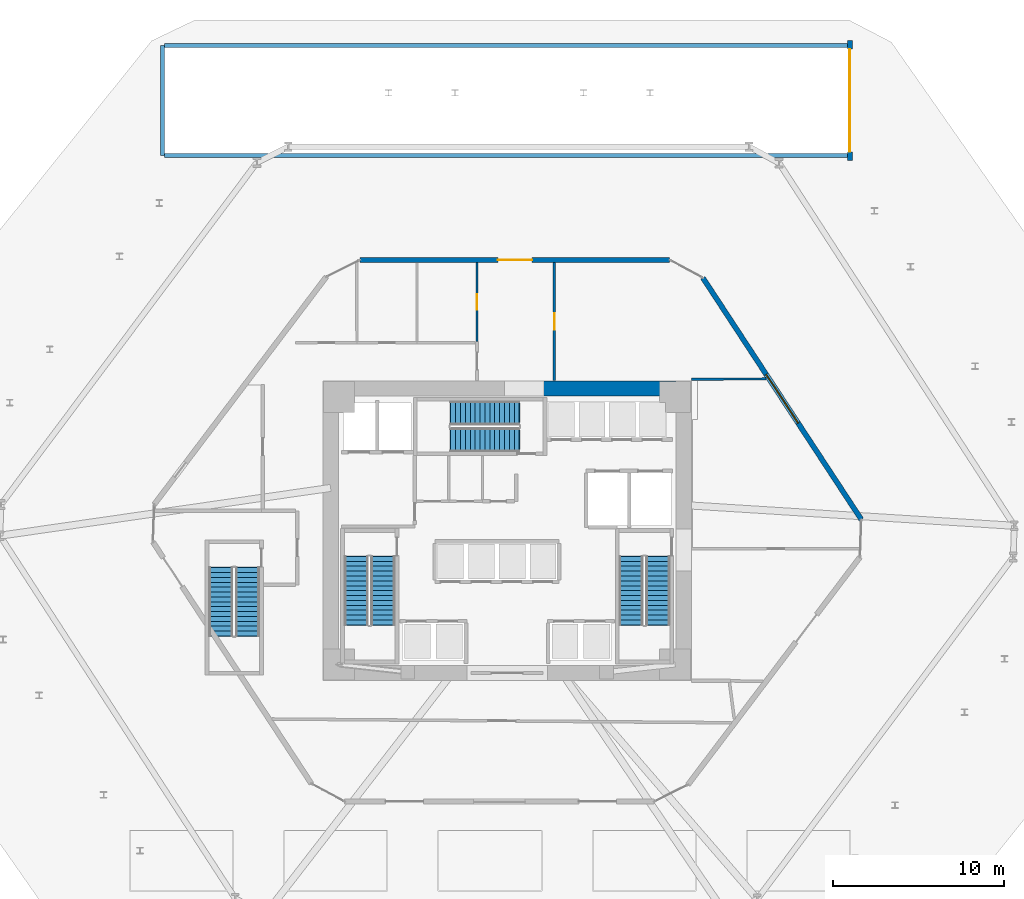
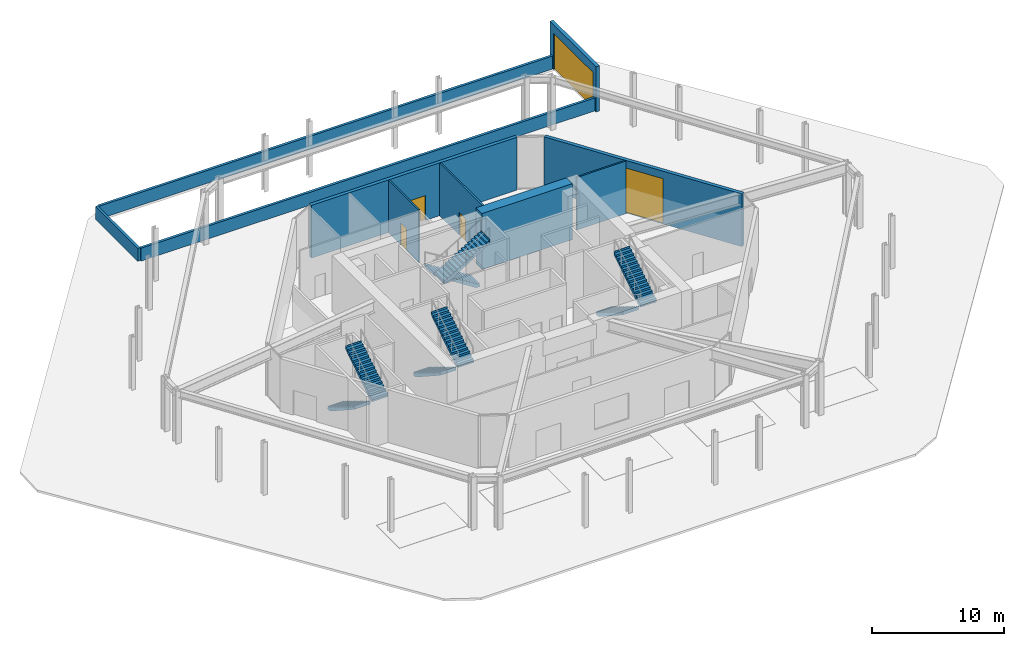
# One storey, part 15 of 18: 10 walls, 8 stair flights, 5 doors, 5 openings, 4 elements without a shape of their own.
"""IFC4 building model written with IfcOpenShell, lengths in metres."""

from ifc_helpers import new_model, si_unit, direction, frame, frame_2d, origin, place, context, subcontext, project, spatial, polyline, rectangle, outline, extrude, source, transform, mapped, material, layer, layer_set, type_object, type_shapes, element, fill, aggregate, save


model = new_model("IFC4")

# Units and contexts
model_context = context("Model", 3, precision=1e-05, world=origin(), true_north=direction((0.0, 1.0)))
body_context = subcontext(model_context, "Body", "Model", "MODEL_VIEW")
ifc_project = project(units=[si_unit("LENGTHUNIT", "METRE"), si_unit("AREAUNIT", "SQUARE_METRE"), si_unit("VOLUMEUNIT", "CUBIC_METRE"), si_unit("PLANEANGLEUNIT", "RADIAN"), si_unit("MASSUNIT", "GRAM", prefix="KILO")], contexts=[model_context])

# Site, building, storey
site_placement = place(None, origin())
site = spatial("IfcSite", under=ifc_project, at=site_placement, CompositionType="ELEMENT")
building_placement = place(site_placement, origin())
building = spatial("IfcBuilding", under=site, at=building_placement, Name="Durnholm Broadcast Tower", CompositionType="ELEMENT")
storey_placement = place(building_placement, origin())
storey = spatial("IfcBuildingStorey", under=building, at=storey_placement, Name="L00", CompositionType="ELEMENT", Elevation=0.0)

# Wall
ifc_material_1 = material(Name="Concrete C70/85", Category="concrete")
ifc_layer_1 = layer(ifc_material_1, 0.89990234375)
ifc_layer_set_1 = layer_set([ifc_layer_1], Name="Concrete C70/85")
wall_type_1 = type_object("IfcWallType", Name="WALL-CW-900", PredefinedType="SHEAR", material=ifc_layer_set_1)
wall_1_placement = place(storey_placement, frame((1.89990234375, 8.300048828125, 0.0), z_axis=(0.0, 0.0, 1.0), x_axis=(1.0, 0.0, 0.0)))
element("IfcWall", 1, at=wall_1_placement, inside=storey, type_object=wall_type_1, Name="L00 central core shear wall CW-N2", PredefinedType="SHEAR", context=body_context, shape_type="SweptSolid", body=[
    extrude(rectangle(XDim=7.9501953125, YDim=0.89990234375, at=frame_2d((3.97509765625, 0.0))), origin(), (0.0, 0.0, 1.0), 5.199951171875),
])

# Wall, opening, door
ifc_material_2 = material(Name="Precast Concrete C45/55", Category="concrete")
ifc_layer_2 = layer(ifc_material_2, 0.300048828125)
ifc_layer_set_2 = layer_set([ifc_layer_2], Name="Precast Concrete C45/55")
wall_type_2 = type_object("IfcWallType", Name="WALL-EXT-300", PredefinedType="SOLIDWALL", material=ifc_layer_set_2)
wall_2_placement = place(storey_placement, frame((20.0, 28.60009765625, 0.0), z_axis=(0.0, 0.0, 1.0), x_axis=(0.0, -1.0, 0.0)))
wall_2 = element("IfcWall", 2, at=wall_2_placement, inside=storey, type_object=wall_type_2, Name="L00 vehicle ramp portal exterior wall", PredefinedType="SOLIDWALL", context=body_context, shape_type="SweptSolid", body=[
    extrude(rectangle(XDim=7.0, YDim=0.300048828125, at=frame_2d((3.5, 0.0))), origin(), (0.0, 0.0, 1.0), 4.199951171875),
])
opening_1_placement = place(wall_2_placement, frame((0.5, 0.0, 0.0)))
opening_1 = element("IfcOpeningElement", 3, at=opening_1_placement, cuts=wall_2, Name="Opening DG-RAMP", PredefinedType="OPENING", context=body_context, shape_type="SweptSolid", body=[
    extrude(rectangle(XDim=6.0, YDim=3.39990234375, at=frame_2d((3.0, 1.699951171875))), frame((0.0, 0.16015625, 0.0), z_axis=(0.0, -1.0, 0.0), x_axis=(1.0, 0.0, 0.0)), (0.0, 0.0, 1.0), 0.320068359375),
])
ifc_material_3 = material(Name="Galvanized Insulated Steel Shutter", Category="steel")
ifc_layer_3 = layer(ifc_material_3, 0.050048828125)
ifc_layer_set_3 = layer_set([ifc_layer_3], Name="Galvanized Insulated Steel Shutter")
door_type_1 = type_object("IfcDoorType", Name="DOOR-RAMP-SH", OperationType="ROLLINGUP", PredefinedType="GATE", material=ifc_layer_set_3)
shared_shape_1 = source(origin(), body_context, "Body", "SweptSolid", [
    extrude(rectangle(XDim=6.0, YDim=3.39990234375, at=frame_2d((3.0, 1.699951171875))), frame((0.0, 0.02490234375, 0.0), z_axis=(0.0, -1.0, 0.0), x_axis=(1.0, 0.0, 0.0)), (0.0, 0.0, 1.0), 0.050048828125),
])
type_shapes(door_type_1, [shared_shape_1])
door_1_placement = place(opening_1_placement, origin())
door_1 = element("IfcDoor", 4, at=door_1_placement, inside=storey, type_object=door_type_1, Name="L00 car park ramp overhead rolling shutter gate DG-RAMP", OperationType="ROLLINGUP", OverallHeight=3.39990234375, OverallWidth=6.0, PredefinedType="GATE", context=body_context, shape_type="MappedRepresentation", body=[
    mapped(shared_shape_1, transform((0.0, 0.0, 0.0), x_axis=(1.0, 0.0, 0.0), y_axis=(0.0, 1.0, 0.0), z_axis=(0.0, 0.0, 1.0), scale=1.0)),
])
fill(opening_1, door_1)

wall_3_placement = place(storey_placement, frame((-8.5791015625, 15.800048828125, 0.0), z_axis=(0.0, 0.0, 1.0), x_axis=(1.0, 0.0, 0.0)))
wall_3 = element("IfcWall", 5, at=wall_3_placement, inside=storey, type_object=wall_type_2, Name="L00 plaza perimeter architectural wall 04", PredefinedType="SOLIDWALL", context=body_context, shape_type="SweptSolid", body=[
    extrude(rectangle(XDim=18.065185546875, YDim=0.300048828125, at=frame_2d((9.03271484375, 0.0))), origin(), (0.0, 0.0, 1.0), 4.89990234375),
])
opening_2_placement = place(wall_3_placement, frame((8.032958984375, 0.0, 0.0)))
opening_2 = element("IfcOpeningElement", 6, at=opening_2_placement, cuts=wall_3, Name="Opening DE-2", PredefinedType="OPENING", context=body_context, shape_type="SweptSolid", body=[
    extrude(rectangle(XDim=2.0, YDim=2.300048828125, at=frame_2d((1.0, 1.14990234375))), frame((0.0, 0.16015625, 0.0), z_axis=(0.0, -1.0, 0.0), x_axis=(1.0, 0.0, 0.0)), (0.0, 0.0, 1.0), 0.320068359375),
])
ifc_material_4 = material(Name="Anodised Aluminium and Laminated Safety Glass", Category="aluminium")
ifc_layer_4 = layer(ifc_material_4, 0.050048828125)
ifc_layer_set_4 = layer_set([ifc_layer_4], Name="Anodised Aluminium and Laminated Safety Glass")
door_type_2 = type_object("IfcDoorType", Name="DOOR-EXT-EXIT", OperationType="DOUBLE_DOOR_SINGLE_SWING", PredefinedType="DOOR", material=ifc_layer_set_4)
shared_shape_2 = source(origin(), body_context, "Body", "SweptSolid", [
    extrude(rectangle(XDim=2.0, YDim=2.300048828125, at=frame_2d((1.0, 1.14990234375))), frame((0.0, 0.02490234375, 0.0), z_axis=(0.0, -1.0, 0.0), x_axis=(1.0, 0.0, 0.0)), (0.0, 0.0, 1.0), 0.050048828125),
])
type_shapes(door_type_2, [shared_shape_2])
door_2_placement = place(opening_2_placement, origin())
door_2 = element("IfcDoor", 7, at=door_2_placement, inside=storey, type_object=door_type_2, Name="L00 north protected stair exit discharge door 4", OperationType="DOUBLE_DOOR_SINGLE_SWING", OverallHeight=2.300048828125, OverallWidth=2.0, PredefinedType="DOOR", context=body_context, shape_type="MappedRepresentation", body=[
    mapped(shared_shape_2, transform((0.0, 0.0, 0.0), x_axis=(1.0, 0.0, 0.0), y_axis=(0.0, 1.0, 0.0), z_axis=(0.0, 0.0, 1.0), scale=1.0)),
])
fill(opening_2, door_2)

wall_4_placement = place(storey_placement, frame((11.421875, 14.75439453125, 0.0), z_axis=(0.0, 0.0, 1.0), x_axis=(0.548298501614, -0.836282699288, 0.0)))
wall_4 = element("IfcWall", 8, at=wall_4_placement, inside=storey, type_object=wall_type_2, Name="L00 plaza perimeter architectural wall 06", PredefinedType="SOLIDWALL", context=body_context, shape_type="SweptSolid", body=[
    extrude(rectangle(XDim=16.8525390625, YDim=0.300048828125, at=frame_2d((8.42626953125, 0.0))), origin(), (0.0, 0.0, 1.0), 4.89990234375),
])
opening_3_placement = place(wall_4_placement, frame((6.72607421875, 0.0, 0.0)))
opening_3 = element("IfcOpeningElement", 9, at=opening_3_placement, cuts=wall_4, Name="Opening DG-DOCK", PredefinedType="OPENING", context=body_context, shape_type="SweptSolid", body=[
    extrude(rectangle(XDim=3.39990234375, YDim=4.199951171875, at=frame_2d((1.699951171875, 2.10009765625))), frame((0.0, 0.16015625, 0.0), z_axis=(0.0, -1.0, 0.0), x_axis=(1.0, 0.0, 0.0)), (0.0, 0.0, 1.0), 0.320068359375),
])
ifc_layer_5 = layer(ifc_material_3, 0.050048828125)
ifc_layer_set_5 = layer_set([ifc_layer_5], Name="Galvanized Insulated Steel Shutter")
door_type_3 = type_object("IfcDoorType", Name="DOOR-DOCK-OH", OperationType="ROLLINGUP", PredefinedType="GATE", material=ifc_layer_set_5)
shared_shape_3 = source(origin(), body_context, "Body", "SweptSolid", [
    extrude(rectangle(XDim=3.39990234375, YDim=4.199951171875, at=frame_2d((1.699951171875, 2.10009765625))), frame((0.0, 0.02490234375, 0.0), z_axis=(0.0, -1.0, 0.0), x_axis=(1.0, 0.0, 0.0)), (0.0, 0.0, 1.0), 0.050048828125),
])
type_shapes(door_type_3, [shared_shape_3])
door_3_placement = place(opening_3_placement, origin())
door_3 = element("IfcDoor", 10, at=door_3_placement, inside=storey, type_object=door_type_3, Name="L00 broadcast loading berth shutter door 6", OperationType="ROLLINGUP", OverallHeight=4.199951171875, OverallWidth=3.39990234375, PredefinedType="GATE", context=body_context, shape_type="MappedRepresentation", body=[
    mapped(shared_shape_3, transform((0.0, 0.0, 0.0), x_axis=(1.0, 0.0, 0.0), y_axis=(0.0, 1.0, 0.0), z_axis=(0.0, 0.0, 1.0), scale=1.0)),
])
fill(opening_3, door_3)

# Walls
ifc_material_5 = material(Name="Precast Concrete C40/50", Category="concrete")
ifc_layer_6 = layer(ifc_material_5, 0.219970703125)
ifc_layer_set_6 = layer_set([ifc_layer_6], Name="Precast Concrete C40/50")
wall_type_3 = type_object("IfcWallType", Name="WALL-PAR-220", PredefinedType="PARAPET", material=ifc_layer_set_6)
for number, where, z_axis, x_axis, name in (
    (11, (-20.0, 21.889892578125, 0.0), (0.0, 0.0, 1.0), (1.0, 0.0, 0.0), "L00 vehicle ramp south safety parapet wall"),
    (12, (-20.0, 28.31005859375, 0.0), (0.0, 0.0, 1.0), (1.0, 0.0, 0.0), "L00 vehicle ramp north safety parapet wall"),
):
    element("IfcWall", number, at=place(storey_placement, frame(where, z_axis=z_axis, x_axis=x_axis)), inside=storey, type_object=wall_type_3, Name=name, PredefinedType="PARAPET", context=body_context, shape_type="SweptSolid", body=[
        extrude(rectangle(XDim=40.0, YDim=0.219970703125, at=frame_2d((20.0, 0.0))), origin(), (0.0, 0.0, 1.0), 1.199951171875),
    ])
wall_5_placement = place(storey_placement, frame((-20.110107421875, 21.889892578125, 0.0), z_axis=(0.0, 0.0, 1.0), x_axis=(0.0, 1.0, 0.0)))
element("IfcWall", 13, at=wall_5_placement, inside=storey, type_object=wall_type_3, Name="L00 vehicle ramp west safety parapet wall", PredefinedType="PARAPET", context=body_context, shape_type="SweptSolid", body=[
    extrude(rectangle(XDim=6.420166015625, YDim=0.219970703125, at=frame_2d((3.2099609375, 0.0))), origin(), (0.0, 0.0, 1.0), 1.199951171875),
])
ifc_material_6 = material(Name="Gypsum Metal Stud Partition", Category="concrete")
ifc_layer_7 = layer(ifc_material_6, 0.135009765625)
ifc_layer_set_7 = layer_set([ifc_layer_7], Name="Gypsum Metal Stud Partition")
wall_type_4 = type_object("IfcWallType", Name="WALL-PART-135", PredefinedType="PARTITIONING", material=ifc_layer_set_7)
wall_6_placement = place(storey_placement, frame((10.760009765625, 8.840087890625, 0.0), z_axis=(0.0, 0.0, 1.0), x_axis=(0.999988301111, 0.004837110855, 0.0)))
element("IfcWall", 14, at=wall_6_placement, inside=storey, type_object=wall_type_4, Name="L00 room dividing partition 8.10", PredefinedType="PARTITIONING", context=body_context, shape_type="SweptSolid", body=[
    extrude(rectangle(XDim=4.340576171875, YDim=0.135009765625, at=frame_2d((2.17041015625, 0.0))), origin(), (0.0, 0.0, 1.0), 4.885009765625),
])

# Wall, opening, door
ifc_material_7 = material(Name="Acoustic Gypsum Stud Partition", Category="concrete")
ifc_layer_8 = layer(ifc_material_7, 0.14990234375)
ifc_layer_set_8 = layer_set([ifc_layer_8], Name="Acoustic Gypsum Stud Partition")
wall_type_5 = type_object("IfcWallType", Name="WALL-PART-150", PredefinedType="PARTITIONING", material=ifc_layer_set_8)
wall_7_placement = place(storey_placement, frame((2.760009765625, 8.760009765625, 0.0), z_axis=(0.0, 0.0, 1.0), x_axis=(0.0, 1.0, 0.0)))
wall_7 = element("IfcWall", 15, at=wall_7_placement, inside=storey, type_object=wall_type_5, Name="L00 Visitor Broadcast Exhibition Gallery corridor partition", PredefinedType="PARTITIONING", context=body_context, shape_type="SweptSolid", body=[
    extrude(rectangle(XDim=6.885009765625, YDim=0.14990234375, at=frame_2d((3.4423828125, 0.0))), origin(), (0.0, 0.0, 1.0), 4.885009765625),
])
opening_4_placement = place(wall_7_placement, frame((2.967529296875, 0.0, 0.0)))
opening_4 = element("IfcOpeningElement", 16, at=opening_4_placement, cuts=wall_7, Name="Opening DR-95L", PredefinedType="OPENING", context=body_context, shape_type="SweptSolid", body=[
    extrude(rectangle(XDim=0.949951171875, YDim=2.10009765625, at=frame_2d((0.47509765625, 1.050048828125))), frame((0.0, 0.0849609375, 0.0), z_axis=(0.0, -1.0, 0.0), x_axis=(1.0, 0.0, 0.0)), (0.0, 0.0, 1.0), 0.169921875),
])
ifc_material_8 = material(Name="Acoustic Oak Veneer Timber Door", Category="wood")
ifc_layer_9 = layer(ifc_material_8, 0.050048828125)
ifc_layer_set_9 = layer_set([ifc_layer_9], Name="Acoustic Oak Veneer Timber Door")
door_type_4 = type_object("IfcDoorType", Name="DOOR-RM-950L", OperationType="NOTDEFINED", PredefinedType="DOOR", material=ifc_layer_set_9)
shared_shape_4 = source(origin(), body_context, "Body", "SweptSolid", [
    extrude(rectangle(XDim=0.949951171875, YDim=2.10009765625, at=frame_2d((0.47509765625, 1.050048828125))), frame((0.0, 0.02490234375, 0.0), z_axis=(0.0, -1.0, 0.0), x_axis=(1.0, 0.0, 0.0)), (0.0, 0.0, 1.0), 0.050048828125),
])
type_shapes(door_type_4, [shared_shape_4])
door_4_placement = place(opening_4_placement, origin())
door_4 = element("IfcDoor", 17, at=door_4_placement, inside=storey, type_object=door_type_4, Name="L00 Visitor Broadcast Exhibition Gallery entrance door", OperationType="SINGLE_SWING_LEFT", OverallHeight=2.10009765625, OverallWidth=0.949951171875, PredefinedType="DOOR", context=body_context, shape_type="MappedRepresentation", body=[
    mapped(shared_shape_4, transform((0.0, 0.0, 0.0), x_axis=(1.0, 0.0, 0.0), y_axis=(0.0, 1.0, 0.0), z_axis=(0.0, 0.0, 1.0), scale=1.0)),
])
fill(opening_4, door_4)

ifc_material_9 = material(Name="Moisture-Resistant Tile Partition", Category="concrete")
ifc_layer_10 = layer(ifc_material_9, 0.139892578125)
ifc_layer_set_10 = layer_set([ifc_layer_10], Name="Moisture-Resistant Tile Partition")
wall_type_6 = type_object("IfcWallType", Name="WALL-WC-140", PredefinedType="PARTITIONING", material=ifc_layer_set_10)
wall_8_placement = place(storey_placement, frame((-1.760009765625, 15.64501953125, 0.0), z_axis=(0.0, 0.0, 1.0), x_axis=(0.0, -1.0, 0.0)))
wall_8 = element("IfcWall", 18, at=wall_8_placement, inside=storey, type_object=wall_type_6, Name="L00 Accessible Restroom corridor partition", PredefinedType="PARTITIONING", context=body_context, shape_type="SweptSolid", body=[
    extrude(rectangle(XDim=4.60498046875, YDim=0.139892578125, at=frame_2d((2.302490234375, 0.0))), origin(), (0.0, 0.0, 1.0), 4.885009765625),
])
opening_5_placement = place(wall_8_placement, frame((1.8525390625, 0.0, 0.0)))
opening_5 = element("IfcOpeningElement", 19, at=opening_5_placement, cuts=wall_8, Name="Opening DW-90R", PredefinedType="OPENING", context=body_context, shape_type="SweptSolid", body=[
    extrude(rectangle(XDim=0.89990234375, YDim=2.050048828125, at=frame_2d((0.449951171875, 1.02490234375))), frame((0.0, 0.080078125, 0.0), z_axis=(0.0, -1.0, 0.0), x_axis=(1.0, 0.0, 0.0)), (0.0, 0.0, 1.0), 0.159912109375),
])
ifc_material_10 = material(Name="Laminate Restroom Door", Category="steel")
ifc_layer_11 = layer(ifc_material_10, 0.050048828125)
ifc_layer_set_11 = layer_set([ifc_layer_11], Name="Laminate Restroom Door")
door_type_5 = type_object("IfcDoorType", Name="DOOR-WC-900R", OperationType="NOTDEFINED", PredefinedType="DOOR", material=ifc_layer_set_11)
shared_shape_5 = source(origin(), body_context, "Body", "SweptSolid", [
    extrude(rectangle(XDim=0.89990234375, YDim=2.050048828125, at=frame_2d((0.449951171875, 1.02490234375))), frame((0.0, 0.02490234375, 0.0), z_axis=(0.0, -1.0, 0.0), x_axis=(1.0, 0.0, 0.0)), (0.0, 0.0, 1.0), 0.050048828125),
])
type_shapes(door_type_5, [shared_shape_5])
door_5_placement = place(opening_5_placement, origin())
door_5 = element("IfcDoor", 20, at=door_5_placement, inside=storey, type_object=door_type_5, Name="L00 Accessible Restroom entrance door", OperationType="SINGLE_SWING_RIGHT", OverallHeight=2.050048828125, OverallWidth=0.89990234375, PredefinedType="DOOR", context=body_context, shape_type="MappedRepresentation", body=[
    mapped(shared_shape_5, transform((0.0, 0.0, 0.0), x_axis=(1.0, 0.0, 0.0), y_axis=(0.0, 1.0, 0.0), z_axis=(0.0, 0.0, 1.0), scale=1.0)),
])
fill(opening_5, door_5)

# Stair, stair flights
ifc_material_11 = material(Name="Concrete C50/60", Category="concrete")
stair_type = type_object("IfcStairType", Name="STAIR-DL-30R1733", PredefinedType="HALF_TURN_STAIR", material=ifc_material_11)
stair_1_placement = place(storey_placement, origin())
stair_1 = element("IfcStair", 21, at=stair_1_placement, inside=storey, type_object=stair_type, Name="L00 ST-1", PredefinedType="HALF_TURN_STAIR")
stair_flight_type = type_object("IfcStairFlightType", Name="FLIGHT-DL-30R1733", PredefinedType="STRAIGHT", material=ifc_material_11)
stair_flight_1_placement = place(storey_placement, frame((-8.800048828125, -1.5, 0.0), z_axis=(0.0, 0.0, 1.0), x_axis=(0.0, -1.0, 0.0)))
stair_flight_1 = element("IfcStairFlight", 22, at=stair_flight_1_placement, type_object=stair_flight_type, Name="ST-1 flight 1", NumberOfRisers=15, NumberOfTreads=14, PredefinedType="STRAIGHT", RiserHeight=0.173333333, TreadLength=0.285, context=body_context, shape_type="SweptSolid", body=[
    extrude(outline(polyline([(-0.0400390625, -0.14990234375), (-0.0400390625, 0.0), (0.0, 0.0), (0.0, 0.17333984375), (0.284912109375, 0.17333984375), (0.284912109375, 0.3466796875), (0.570068359375, 0.3466796875), (0.570068359375, 0.52001953125), (0.85498046875, 0.52001953125), (0.85498046875, 0.693359375), (1.139892578125, 0.693359375), (1.139892578125, 0.86669921875), (1.425048828125, 0.86669921875), (1.425048828125, 1.0400390625), (1.7099609375, 1.0400390625), (1.7099609375, 1.21337890625), (1.9951171875, 1.21337890625), (1.9951171875, 1.38671875), (2.280029296875, 1.38671875), (2.280029296875, 1.56005859375), (2.56494140625, 1.56005859375), (2.56494140625, 1.7333984375), (2.85009765625, 1.7333984375), (2.85009765625, 1.90673828125), (3.135009765625, 1.90673828125), (3.135009765625, 2.080078125), (3.419921875, 2.080078125), (3.419921875, 2.25341796875), (3.705078125, 2.25341796875), (3.705078125, 2.4267578125), (3.989990234375, 2.4267578125), (3.989990234375, 2.60009765625), (4.030029296875, 2.60009765625), (4.030029296875, 2.4501953125), (3.989990234375, 2.251220703125), (0.28857421875, -0.14990234375), (-0.0400390625, -0.14990234375)])), frame((0.0, 0.699951171875, 0.0), z_axis=(0.0, -1.0, 0.0), x_axis=(1.0, 0.0, 0.0)), (0.0, 0.0, 1.0), 1.39990234375),
])
stair_flight_2_placement = place(storey_placement, frame((-7.239990234375, -5.489990234375, 2.60009765625), z_axis=(0.0, 0.0, 1.0), x_axis=(0.0, 1.0, 0.0)))
stair_flight_2 = element("IfcStairFlight", 23, at=stair_flight_2_placement, type_object=stair_flight_type, Name="ST-1 flight 2", NumberOfRisers=15, NumberOfTreads=14, PredefinedType="STRAIGHT", RiserHeight=0.173333333, TreadLength=0.285, context=body_context, shape_type="SweptSolid", body=[
    extrude(outline(polyline([(-0.0400390625, -0.14990234375), (-0.0400390625, 0.0), (0.0, 0.0), (0.0, 0.17333984375), (0.284912109375, 0.17333984375), (0.284912109375, 0.3466796875), (0.570068359375, 0.3466796875), (0.570068359375, 0.52001953125), (0.85498046875, 0.52001953125), (0.85498046875, 0.693359375), (1.139892578125, 0.693359375), (1.139892578125, 0.86669921875), (1.425048828125, 0.86669921875), (1.425048828125, 1.0400390625), (1.7099609375, 1.0400390625), (1.7099609375, 1.21337890625), (1.9951171875, 1.21337890625), (1.9951171875, 1.38671875), (2.280029296875, 1.38671875), (2.280029296875, 1.56005859375), (2.56494140625, 1.56005859375), (2.56494140625, 1.7333984375), (2.85009765625, 1.7333984375), (2.85009765625, 1.90673828125), (3.135009765625, 1.90673828125), (3.135009765625, 2.080078125), (3.419921875, 2.080078125), (3.419921875, 2.25341796875), (3.705078125, 2.25341796875), (3.705078125, 2.4267578125), (3.989990234375, 2.4267578125), (3.989990234375, 2.60009765625), (4.030029296875, 2.60009765625), (4.030029296875, 2.4501953125), (3.989990234375, 2.251220703125), (0.28857421875, -0.14990234375), (-0.0400390625, -0.14990234375)])), frame((0.0, 0.699951171875, 0.0), z_axis=(0.0, -1.0, 0.0), x_axis=(1.0, 0.0, 0.0)), (0.0, 0.0, 1.0), 1.39990234375),
])
aggregate(stair_1, [stair_flight_1, stair_flight_2])

stair_2_placement = place(storey_placement, origin())
stair_2 = element("IfcStair", 24, at=stair_2_placement, inside=storey, type_object=stair_type, Name="L00 ST-2", PredefinedType="HALF_TURN_STAIR")
stair_flight_3_placement = place(storey_placement, frame((7.239990234375, -1.5, 0.0), z_axis=(0.0, 0.0, 1.0), x_axis=(0.0, -1.0, 0.0)))
stair_flight_3 = element("IfcStairFlight", 25, at=stair_flight_3_placement, type_object=stair_flight_type, Name="ST-2 flight 1", NumberOfRisers=15, NumberOfTreads=14, PredefinedType="STRAIGHT", RiserHeight=0.173333333, TreadLength=0.285, context=body_context, shape_type="SweptSolid", body=[
    extrude(outline(polyline([(-0.0400390625, -0.14990234375), (-0.0400390625, 0.0), (0.0, 0.0), (0.0, 0.17333984375), (0.284912109375, 0.17333984375), (0.284912109375, 0.3466796875), (0.570068359375, 0.3466796875), (0.570068359375, 0.52001953125), (0.85498046875, 0.52001953125), (0.85498046875, 0.693359375), (1.139892578125, 0.693359375), (1.139892578125, 0.86669921875), (1.425048828125, 0.86669921875), (1.425048828125, 1.0400390625), (1.7099609375, 1.0400390625), (1.7099609375, 1.21337890625), (1.9951171875, 1.21337890625), (1.9951171875, 1.38671875), (2.280029296875, 1.38671875), (2.280029296875, 1.56005859375), (2.56494140625, 1.56005859375), (2.56494140625, 1.7333984375), (2.85009765625, 1.7333984375), (2.85009765625, 1.90673828125), (3.135009765625, 1.90673828125), (3.135009765625, 2.080078125), (3.419921875, 2.080078125), (3.419921875, 2.25341796875), (3.705078125, 2.25341796875), (3.705078125, 2.4267578125), (3.989990234375, 2.4267578125), (3.989990234375, 2.60009765625), (4.030029296875, 2.60009765625), (4.030029296875, 2.4501953125), (3.989990234375, 2.251220703125), (0.28857421875, -0.14990234375), (-0.0400390625, -0.14990234375)])), frame((0.0, 0.699951171875, 0.0), z_axis=(0.0, -1.0, 0.0), x_axis=(1.0, 0.0, 0.0)), (0.0, 0.0, 1.0), 1.39990234375),
])
stair_flight_4_placement = place(storey_placement, frame((8.800048828125, -5.489990234375, 2.60009765625), z_axis=(0.0, 0.0, 1.0), x_axis=(0.0, 1.0, 0.0)))
stair_flight_4 = element("IfcStairFlight", 26, at=stair_flight_4_placement, type_object=stair_flight_type, Name="ST-2 flight 2", NumberOfRisers=15, NumberOfTreads=14, PredefinedType="STRAIGHT", RiserHeight=0.173333333, TreadLength=0.285, context=body_context, shape_type="SweptSolid", body=[
    extrude(outline(polyline([(-0.0400390625, -0.14990234375), (-0.0400390625, 0.0), (0.0, 0.0), (0.0, 0.17333984375), (0.284912109375, 0.17333984375), (0.284912109375, 0.3466796875), (0.570068359375, 0.3466796875), (0.570068359375, 0.52001953125), (0.85498046875, 0.52001953125), (0.85498046875, 0.693359375), (1.139892578125, 0.693359375), (1.139892578125, 0.86669921875), (1.425048828125, 0.86669921875), (1.425048828125, 1.0400390625), (1.7099609375, 1.0400390625), (1.7099609375, 1.21337890625), (1.9951171875, 1.21337890625), (1.9951171875, 1.38671875), (2.280029296875, 1.38671875), (2.280029296875, 1.56005859375), (2.56494140625, 1.56005859375), (2.56494140625, 1.7333984375), (2.85009765625, 1.7333984375), (2.85009765625, 1.90673828125), (3.135009765625, 1.90673828125), (3.135009765625, 2.080078125), (3.419921875, 2.080078125), (3.419921875, 2.25341796875), (3.705078125, 2.25341796875), (3.705078125, 2.4267578125), (3.989990234375, 2.4267578125), (3.989990234375, 2.60009765625), (4.030029296875, 2.60009765625), (4.030029296875, 2.4501953125), (3.989990234375, 2.251220703125), (0.28857421875, -0.14990234375), (-0.0400390625, -0.14990234375)])), frame((0.0, 0.699951171875, 0.0), z_axis=(0.0, -1.0, 0.0), x_axis=(1.0, 0.0, 0.0)), (0.0, 0.0, 1.0), 1.39990234375),
])
aggregate(stair_2, [stair_flight_3, stair_flight_4])

stair_3_placement = place(storey_placement, origin())
stair_3 = element("IfcStair", 27, at=stair_3_placement, inside=storey, type_object=stair_type, Name="L00 ST-3", PredefinedType="HALF_TURN_STAIR")
stair_flight_5_placement = place(storey_placement, frame((0.699951171875, 6.860107421875, 0.0), z_axis=(0.0, 0.0, 1.0), x_axis=(-1.0, 0.0, 0.0)))
stair_flight_5 = element("IfcStairFlight", 28, at=stair_flight_5_placement, type_object=stair_flight_type, Name="ST-3 flight 1", NumberOfRisers=15, NumberOfTreads=14, PredefinedType="STRAIGHT", RiserHeight=0.173333333, TreadLength=0.285, context=body_context, shape_type="SweptSolid", body=[
    extrude(outline(polyline([(-0.0400390625, -0.14990234375), (-0.0400390625, 0.0), (0.0, 0.0), (0.0, 0.17333984375), (0.284912109375, 0.17333984375), (0.284912109375, 0.3466796875), (0.570068359375, 0.3466796875), (0.570068359375, 0.52001953125), (0.85498046875, 0.52001953125), (0.85498046875, 0.693359375), (1.139892578125, 0.693359375), (1.139892578125, 0.86669921875), (1.425048828125, 0.86669921875), (1.425048828125, 1.0400390625), (1.7099609375, 1.0400390625), (1.7099609375, 1.21337890625), (1.9951171875, 1.21337890625), (1.9951171875, 1.38671875), (2.280029296875, 1.38671875), (2.280029296875, 1.56005859375), (2.56494140625, 1.56005859375), (2.56494140625, 1.7333984375), (2.85009765625, 1.7333984375), (2.85009765625, 1.90673828125), (3.135009765625, 1.90673828125), (3.135009765625, 2.080078125), (3.419921875, 2.080078125), (3.419921875, 2.25341796875), (3.705078125, 2.25341796875), (3.705078125, 2.4267578125), (3.989990234375, 2.4267578125), (3.989990234375, 2.60009765625), (4.030029296875, 2.60009765625), (4.030029296875, 2.4501953125), (3.989990234375, 2.251220703125), (0.28857421875, -0.14990234375), (-0.0400390625, -0.14990234375)])), frame((0.0, 0.699951171875, 0.0), z_axis=(0.0, -1.0, 0.0), x_axis=(1.0, 0.0, 0.0)), (0.0, 0.0, 1.0), 1.39990234375),
])
stair_flight_6_placement = place(storey_placement, frame((-3.2900390625, 5.300048828125, 2.60009765625), z_axis=(0.0, 0.0, 1.0), x_axis=(1.0, 0.0, 0.0)))
stair_flight_6 = element("IfcStairFlight", 29, at=stair_flight_6_placement, type_object=stair_flight_type, Name="ST-3 flight 2", NumberOfRisers=15, NumberOfTreads=14, PredefinedType="STRAIGHT", RiserHeight=0.173333333, TreadLength=0.285, context=body_context, shape_type="SweptSolid", body=[
    extrude(outline(polyline([(-0.0400390625, -0.14990234375), (-0.0400390625, 0.0), (0.0, 0.0), (0.0, 0.17333984375), (0.284912109375, 0.17333984375), (0.284912109375, 0.3466796875), (0.570068359375, 0.3466796875), (0.570068359375, 0.52001953125), (0.85498046875, 0.52001953125), (0.85498046875, 0.693359375), (1.139892578125, 0.693359375), (1.139892578125, 0.86669921875), (1.425048828125, 0.86669921875), (1.425048828125, 1.0400390625), (1.7099609375, 1.0400390625), (1.7099609375, 1.21337890625), (1.9951171875, 1.21337890625), (1.9951171875, 1.38671875), (2.280029296875, 1.38671875), (2.280029296875, 1.56005859375), (2.56494140625, 1.56005859375), (2.56494140625, 1.7333984375), (2.85009765625, 1.7333984375), (2.85009765625, 1.90673828125), (3.135009765625, 1.90673828125), (3.135009765625, 2.080078125), (3.419921875, 2.080078125), (3.419921875, 2.25341796875), (3.705078125, 2.25341796875), (3.705078125, 2.4267578125), (3.989990234375, 2.4267578125), (3.989990234375, 2.60009765625), (4.030029296875, 2.60009765625), (4.030029296875, 2.4501953125), (3.989990234375, 2.251220703125), (0.28857421875, -0.14990234375), (-0.0400390625, -0.14990234375)])), frame((0.0, 0.699951171875, 0.0), z_axis=(0.0, -1.0, 0.0), x_axis=(1.0, 0.0, 0.0)), (0.0, 0.0, 1.0), 1.39990234375),
])
aggregate(stair_3, [stair_flight_5, stair_flight_6])

stair_4_placement = place(storey_placement, origin())
stair_4 = element("IfcStair", 30, at=stair_4_placement, inside=storey, type_object=stair_type, Name="L00 ST-4", PredefinedType="HALF_TURN_STAIR")
stair_flight_7_placement = place(storey_placement, frame((-16.699951171875, -2.14990234375, 0.0), z_axis=(0.0, 0.0, 1.0), x_axis=(0.0, -1.0, 0.0)))
stair_flight_7 = element("IfcStairFlight", 31, at=stair_flight_7_placement, type_object=stair_flight_type, Name="ST-4 flight 1", NumberOfRisers=15, NumberOfTreads=14, PredefinedType="STRAIGHT", RiserHeight=0.173333333, TreadLength=0.285, context=body_context, shape_type="SweptSolid", body=[
    extrude(outline(polyline([(-0.0400390625, -0.14990234375), (-0.0400390625, 0.0), (0.0, 0.0), (0.0, 0.17333984375), (0.284912109375, 0.17333984375), (0.284912109375, 0.3466796875), (0.570068359375, 0.3466796875), (0.570068359375, 0.52001953125), (0.85498046875, 0.52001953125), (0.85498046875, 0.693359375), (1.139892578125, 0.693359375), (1.139892578125, 0.86669921875), (1.425048828125, 0.86669921875), (1.425048828125, 1.0400390625), (1.7099609375, 1.0400390625), (1.7099609375, 1.21337890625), (1.9951171875, 1.21337890625), (1.9951171875, 1.38671875), (2.280029296875, 1.38671875), (2.280029296875, 1.56005859375), (2.56494140625, 1.56005859375), (2.56494140625, 1.7333984375), (2.85009765625, 1.7333984375), (2.85009765625, 1.90673828125), (3.135009765625, 1.90673828125), (3.135009765625, 2.080078125), (3.419921875, 2.080078125), (3.419921875, 2.25341796875), (3.705078125, 2.25341796875), (3.705078125, 2.4267578125), (3.989990234375, 2.4267578125), (3.989990234375, 2.60009765625), (4.030029296875, 2.60009765625), (4.030029296875, 2.4501953125), (3.989990234375, 2.251220703125), (0.28857421875, -0.14990234375), (-0.0400390625, -0.14990234375)])), frame((0.0, 0.699951171875, 0.0), z_axis=(0.0, -1.0, 0.0), x_axis=(1.0, 0.0, 0.0)), (0.0, 0.0, 1.0), 1.39990234375),
])
stair_flight_8_placement = place(storey_placement, frame((-15.139892578125, -6.139892578125, 2.60009765625), z_axis=(0.0, 0.0, 1.0), x_axis=(0.0, 1.0, 0.0)))
stair_flight_8 = element("IfcStairFlight", 32, at=stair_flight_8_placement, type_object=stair_flight_type, Name="ST-4 flight 2", NumberOfRisers=15, NumberOfTreads=14, PredefinedType="STRAIGHT", RiserHeight=0.173333333, TreadLength=0.285, context=body_context, shape_type="SweptSolid", body=[
    extrude(outline(polyline([(-0.0400390625, -0.14990234375), (-0.0400390625, 0.0), (0.0, 0.0), (0.0, 0.17333984375), (0.284912109375, 0.17333984375), (0.284912109375, 0.3466796875), (0.570068359375, 0.3466796875), (0.570068359375, 0.52001953125), (0.85498046875, 0.52001953125), (0.85498046875, 0.693359375), (1.139892578125, 0.693359375), (1.139892578125, 0.86669921875), (1.425048828125, 0.86669921875), (1.425048828125, 1.0400390625), (1.7099609375, 1.0400390625), (1.7099609375, 1.21337890625), (1.9951171875, 1.21337890625), (1.9951171875, 1.38671875), (2.280029296875, 1.38671875), (2.280029296875, 1.56005859375), (2.56494140625, 1.56005859375), (2.56494140625, 1.7333984375), (2.85009765625, 1.7333984375), (2.85009765625, 1.90673828125), (3.135009765625, 1.90673828125), (3.135009765625, 2.080078125), (3.419921875, 2.080078125), (3.419921875, 2.25341796875), (3.705078125, 2.25341796875), (3.705078125, 2.4267578125), (3.989990234375, 2.4267578125), (3.989990234375, 2.60009765625), (4.030029296875, 2.60009765625), (4.030029296875, 2.4501953125), (3.989990234375, 2.251220703125), (0.28857421875, -0.14990234375), (-0.0400390625, -0.14990234375)])), frame((0.0, 0.699951171875, 0.0), z_axis=(0.0, -1.0, 0.0), x_axis=(1.0, 0.0, 0.0)), (0.0, 0.0, 1.0), 1.39990234375),
])
aggregate(stair_4, [stair_flight_7, stair_flight_8])

save(model, "model.ifc")
